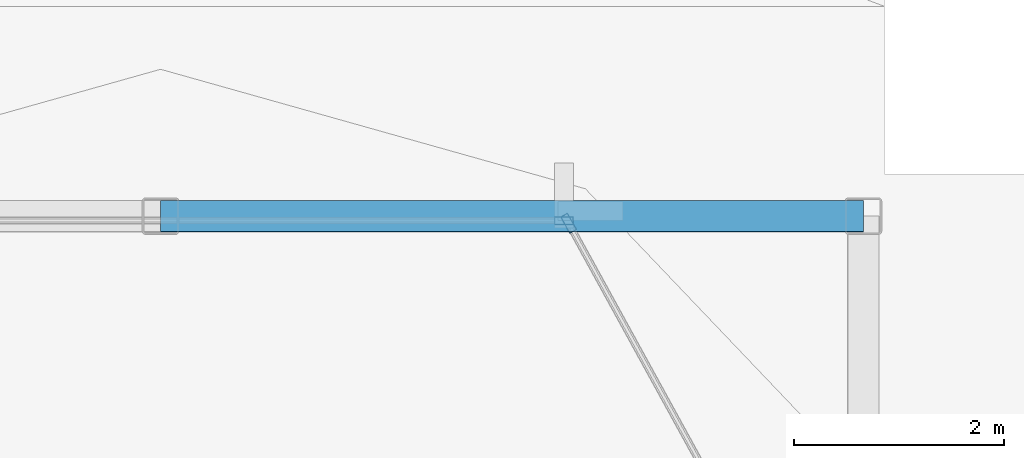
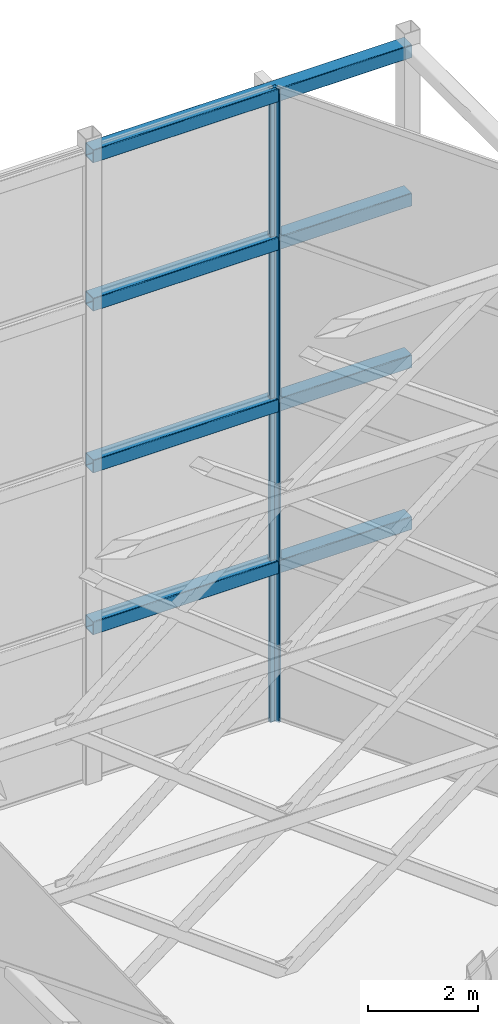
# One storey, part 21 of 24: 4 beams, 2 members, 2 elements without a shape of their own.
"""IFC4 building model written with IfcOpenShell, lengths in metres."""

from ifc_helpers import new_model, si_unit, direction, frame, origin, origin_2d, place, context, subcontext, project, spatial, hollow_rectangle, extrude, material, layer, layer_set, material_profile, profile_set, type_object, element, aggregate, save


model = new_model("IFC4")

# Units and contexts
model_context = context("Model", 3, precision=1e-05, world=origin(), true_north=direction((0.0, 1.0)))
body_context = subcontext(model_context, "Body", "Model", "MODEL_VIEW")
ifc_project = project(units=[si_unit("LENGTHUNIT", "METRE"), si_unit("AREAUNIT", "SQUARE_METRE"), si_unit("VOLUMEUNIT", "CUBIC_METRE"), si_unit("PLANEANGLEUNIT", "RADIAN"), si_unit("MASSUNIT", "GRAM", prefix="KILO")], contexts=[model_context])

# Site, building, storey
site_placement = place(None, origin())
site = spatial("IfcSite", under=ifc_project, at=site_placement, CompositionType="ELEMENT")
building_placement = place(site_placement, origin())
building = spatial("IfcBuilding", under=site, at=building_placement, Name="Solvaryn Broadcast Tower", CompositionType="ELEMENT")
storey_placement = place(building_placement, frame((0.0, 0.0, 307.800048828125)))
storey = spatial("IfcBuildingStorey", under=building, at=storey_placement, Name="Roof Main", CompositionType="ELEMENT", Elevation=307.800048828125)

# Beams
ifc_material_1 = material(Name="Steel ASTM A500 Grade C", Category="steel")
ifc_material_profile_1 = material_profile(ifc_material_1, hollow_rectangle(XDim=0.300048828125, YDim=0.300048828125, WallThickness=0.01416015625, InnerFilletRadius=0.01416015625, OuterFilletRadius=0.0283203125, at=origin_2d()))
ifc_profile_set_1 = profile_set([ifc_material_profile_1], Name="Steel ASTM A500 Grade C")
beam_type = type_object("IfcBeamType", Name="BM-CROWN-RING", PredefinedType="BEAM", material=ifc_profile_set_1)
for number, where, z_axis, x_axis, name in (
    (1, (24.60009765625, 42.39990234375, 3.449951171875), (-1.0, 0.0, 0.0), (0.0, -1.0, 0.0), "Roof Main CROWN FRAME Ring Beam WT1-5"),
    (2, (24.60009765625, 42.39990234375, 7.050048828125), (-1.0, 0.0, 0.0), (0.0, -1.0, 0.0), "Roof Main CROWN FRAME Ring Beam WT2-5"),
    (3, (24.60009765625, 42.39990234375, 10.64990234375), (-1.0, 0.0, 0.0), (0.0, -1.0, 0.0), "Roof Main CROWN FRAME Ring Beam WT3-5"),
    (4, (24.60009765625, 42.39990234375, 13.949951171875), (-1.0, 0.0, 0.0), (0.0, -1.0, 0.0), "Roof Main CROWN FRAME Ring Beam WT4-5"),
):
    element("IfcBeam", number, at=place(storey_placement, frame(where, z_axis=z_axis, x_axis=x_axis)), inside=storey, type_object=beam_type, Name=name, PredefinedType="BEAM", context=body_context, shape_type="SweptSolid", body=[
        extrude(hollow_rectangle(XDim=0.300048828125, YDim=0.300048828125, WallThickness=0.01416015625, InnerFilletRadius=0.01416015625, OuterFilletRadius=0.0283203125, at=origin_2d()), origin(), (0.0, 0.0, 1.0), 6.7001953125),
    ])

# Curtain wall, member
ifc_material_2 = material(Name="Aluminium and Terracotta Unitised Curtain Wall", Category="masonry")
ifc_layer = layer(ifc_material_2, 0.2099609375)
ifc_layer_set = layer_set([ifc_layer], Name="CW-SYS6-CROWN")
curtain_wall_type = type_object("IfcCurtainWallType", Name="CW-SYS6-CROWN", PredefinedType="NOTDEFINED", material=ifc_layer_set)
curtain_wall_1_placement = place(storey_placement, origin())
curtain_wall_1 = element("IfcCurtainWall", 5, at=curtain_wall_1_placement, inside=storey, type_object=curtain_wall_type, Name="Roof Main Split-Top Crown Curtain Wall W1", PredefinedType="NOTDEFINED")
ifc_material_3 = material(Name="Anodised Aluminium 6063-T6", Category="aluminium")
ifc_material_profile_2 = material_profile(ifc_material_3, hollow_rectangle(XDim=0.074951171875, YDim=0.179931640625, WallThickness=0.00390625, InnerFilletRadius=0.00390625, OuterFilletRadius=0.008056640625, at=origin_2d()))
ifc_profile_set_2 = profile_set([ifc_material_profile_2], Name="Anodised Aluminium 6063-T6")
member_type = type_object("IfcMemberType", Name="CW-MUL-180", PredefinedType="MULLION", material=ifc_profile_set_2)
member_1_placement = place(storey_placement, frame((21.78955078125, 42.331787109375, 0.0), z_axis=(0.0, 0.0, 1.0), x_axis=(-0.876577523452, -0.481260683391, 0.0)))
member_1 = element("IfcMember", 6, at=member_1_placement, type_object=member_type, Name="CWS6 mullion 2", PredefinedType="MULLION", context=body_context, shape_type="SweptSolid", body=[
    extrude(hollow_rectangle(XDim=0.074951171875, YDim=0.179931640625, WallThickness=0.00390625, InnerFilletRadius=0.00390625, OuterFilletRadius=0.008056640625, at=origin_2d()), origin(), (0.0, 0.0, 1.0), 14.099853515625),
])
aggregate(curtain_wall_1, [member_1])

curtain_wall_2_placement = place(storey_placement, origin())
curtain_wall_2 = element("IfcCurtainWall", 7, at=curtain_wall_2_placement, inside=storey, type_object=curtain_wall_type, Name="Roof Main Split-Top Crown Curtain Wall W2", PredefinedType="NOTDEFINED")
member_2_placement = place(storey_placement, frame((21.7451171875, 42.35791015625, 0.0), z_axis=(0.0, 0.0, 1.0), x_axis=(0.0, -1.0, 0.0)))
member_2 = element("IfcMember", 8, at=member_2_placement, type_object=member_type, Name="CWS6 mullion 1", PredefinedType="MULLION", context=body_context, shape_type="SweptSolid", body=[
    extrude(hollow_rectangle(XDim=0.074951171875, YDim=0.179931640625, WallThickness=0.00390625, InnerFilletRadius=0.00390625, OuterFilletRadius=0.008056640625, at=origin_2d()), origin(), (0.0, 0.0, 1.0), 14.099853515625),
])
aggregate(curtain_wall_2, [member_2])

save(model, "model.ifc")
